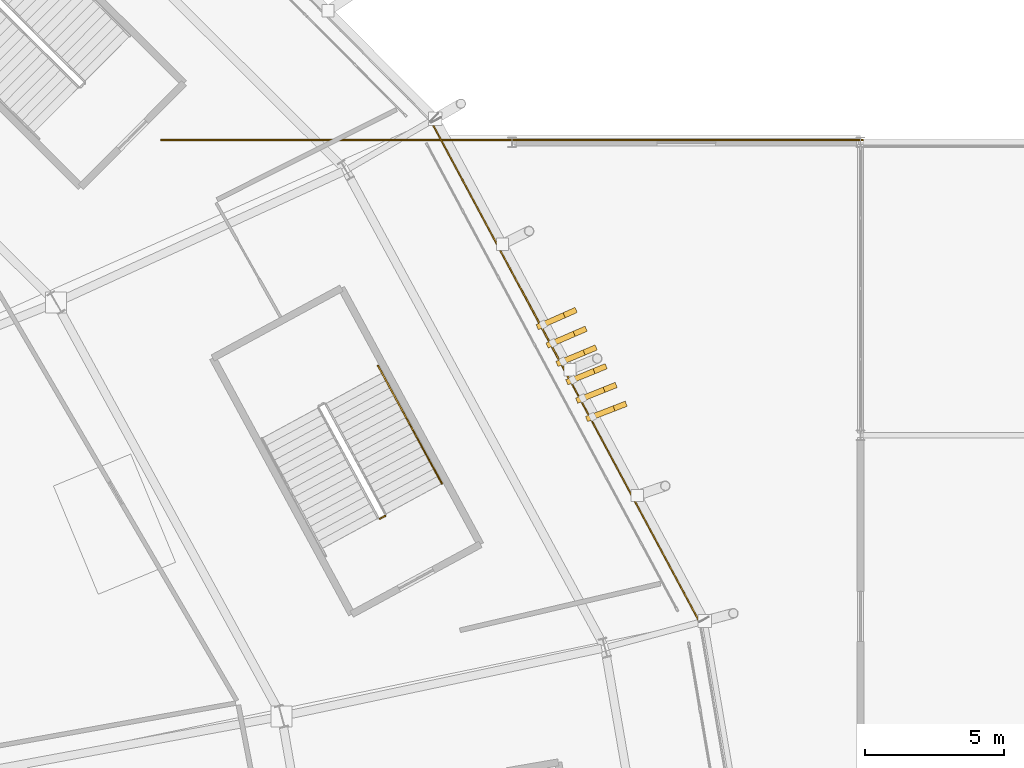
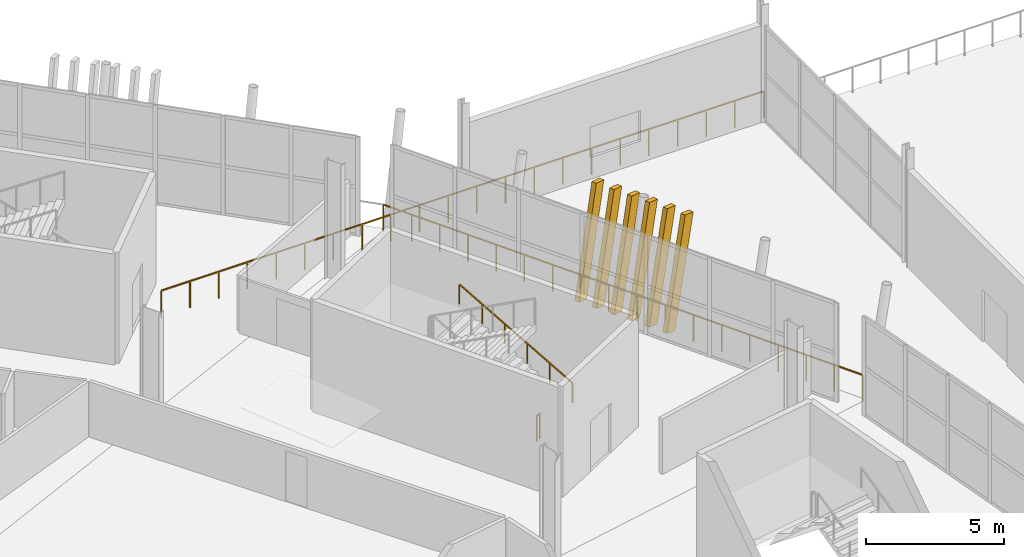
# One storey, part 161 of 168: 6 shading devices, 4 railings.
"""IFC4 building model written with IfcOpenShell, lengths in metres."""

from ifc_helpers import new_model, si_unit, direction, frame, origin, origin_2d, place, context, subcontext, project, spatial, rectangle, extrude, material, material_profile, profile_set, type_object, element, save


model = new_model("IFC4")

# Units and contexts
model_context = context("Model", 3, precision=1e-05, world=origin(), true_north=direction((0.0, 1.0)))
body_context = subcontext(model_context, "Body", "Model", "MODEL_VIEW")
ifc_project = project(units=[si_unit("LENGTHUNIT", "METRE"), si_unit("AREAUNIT", "SQUARE_METRE"), si_unit("VOLUMEUNIT", "CUBIC_METRE"), si_unit("PLANEANGLEUNIT", "RADIAN"), si_unit("MASSUNIT", "GRAM", prefix="KILO")], contexts=[model_context])

# Site, building, storey
site_placement = place(None, origin())
site = spatial("IfcSite", under=ifc_project, at=site_placement, CompositionType="ELEMENT")
building_placement = place(site_placement, origin())
building = spatial("IfcBuilding", under=site, at=building_placement, Name="Zlatoyarsky Gate Stadium", CompositionType="ELEMENT")
storey_placement = place(building_placement, frame((0.0, 0.0, 15.60009765625)))
storey = spatial("IfcBuildingStorey", under=building, at=storey_placement, Name="L03", CompositionType="ELEMENT", Elevation=15.60009765625)

# Railings
ifc_material_1 = material(Name="Powder-coated steel tubular guardrail", Category="steel")
railing_type_1 = type_object("IfcRailingType", Name="CONCOURSE SLAB EDGE GUARDRAIL 1200", PredefinedType="GUARDRAIL", material=ifc_material_1)
railing_1_placement = place(storey_placement, frame((204.2333984375, 99.287841796875, 0.0)))
element("IfcRailing", 1, at=railing_1_placement, inside=storey, type_object=railing_type_1, Name="L03 outer slab edge guardrail 01", PredefinedType="GUARDRAIL", context=body_context, shape_type="SweptSolid", body=[
    extrude(rectangle(XDim=0.048095703125, YDim=0.048095703125, at=origin_2d()), frame((0.0, 0.0, 1.17578125), z_axis=(-0.472758767062, 0.881191890661, 0.0), x_axis=(-0.881191890661, -0.472758767062, 0.0)), (0.0, 0.0, 1.0), 20.396484375),
    extrude(rectangle(XDim=0.0419921875, YDim=0.0419921875, at=origin_2d()), origin(), (0.0, 0.0, 1.0), 1.15185546875),
    extrude(rectangle(XDim=0.0419921875, YDim=0.0419921875, at=origin_2d()), frame((-0.567138671875, 1.05712890625, 0.0)), (0.0, 0.0, 1.0), 1.15185546875),
    extrude(rectangle(XDim=0.0419921875, YDim=0.0419921875, at=origin_2d()), frame((-1.134521484375, 2.114501953125, 0.0)), (0.0, 0.0, 1.0), 1.15185546875),
    extrude(rectangle(XDim=0.0419921875, YDim=0.0419921875, at=origin_2d()), frame((-1.70166015625, 3.171630859375, 0.0)), (0.0, 0.0, 1.0), 1.15185546875),
    extrude(rectangle(XDim=0.0419921875, YDim=0.0419921875, at=origin_2d()), frame((-2.268798828125, 4.22900390625, 0.0)), (0.0, 0.0, 1.0), 1.15185546875),
    extrude(rectangle(XDim=0.0419921875, YDim=0.0419921875, at=origin_2d()), frame((-2.8359375, 5.2861328125, 0.0)), (0.0, 0.0, 1.0), 1.15185546875),
    extrude(rectangle(XDim=0.0419921875, YDim=0.0419921875, at=origin_2d()), frame((-3.4033203125, 6.343505859375, 0.0)), (0.0, 0.0, 1.0), 1.15185546875),
    extrude(rectangle(XDim=0.0419921875, YDim=0.0419921875, at=origin_2d()), frame((-3.970458984375, 7.400634765625, 0.0)), (0.0, 0.0, 1.0), 1.15185546875),
    extrude(rectangle(XDim=0.0419921875, YDim=0.0419921875, at=origin_2d()), frame((-4.53759765625, 8.4580078125, 0.0)), (0.0, 0.0, 1.0), 1.15185546875),
    extrude(rectangle(XDim=0.0419921875, YDim=0.0419921875, at=origin_2d()), frame((-5.10498046875, 9.51513671875, 0.0)), (0.0, 0.0, 1.0), 1.15185546875),
    extrude(rectangle(XDim=0.0419921875, YDim=0.0419921875, at=origin_2d()), frame((-5.672119140625, 10.572509765625, 0.0)), (0.0, 0.0, 1.0), 1.15185546875),
    extrude(rectangle(XDim=0.0419921875, YDim=0.0419921875, at=origin_2d()), frame((-6.2392578125, 11.629638671875, 0.0)), (0.0, 0.0, 1.0), 1.15185546875),
    extrude(rectangle(XDim=0.0419921875, YDim=0.0419921875, at=origin_2d()), frame((-6.806640625, 12.68701171875, 0.0)), (0.0, 0.0, 1.0), 1.15185546875),
    extrude(rectangle(XDim=0.0419921875, YDim=0.0419921875, at=origin_2d()), frame((-7.373779296875, 13.744140625, 0.0)), (0.0, 0.0, 1.0), 1.15185546875),
    extrude(rectangle(XDim=0.0419921875, YDim=0.0419921875, at=origin_2d()), frame((-7.94091796875, 14.801513671875, 0.0)), (0.0, 0.0, 1.0), 1.15185546875),
    extrude(rectangle(XDim=0.0419921875, YDim=0.0419921875, at=origin_2d()), frame((-8.508056640625, 15.858642578125, 0.0)), (0.0, 0.0, 1.0), 1.15185546875),
    extrude(rectangle(XDim=0.0419921875, YDim=0.0419921875, at=origin_2d()), frame((-9.075439453125, 16.916015625, 0.0)), (0.0, 0.0, 1.0), 1.15185546875),
    extrude(rectangle(XDim=0.0419921875, YDim=0.0419921875, at=origin_2d()), frame((-9.642578125, 17.97314453125, 0.0)), (0.0, 0.0, 1.0), 1.15185546875),
])
railing_2_placement = place(storey_placement, frame((210.080078125, 116.580078125, 0.0)))
element("IfcRailing", 2, at=railing_2_placement, inside=storey, type_object=railing_type_1, Name="V5_EAST L03 N slab edge guardrail", PredefinedType="GUARDRAIL", context=body_context, shape_type="SweptSolid", body=[
    extrude(rectangle(XDim=0.048095703125, YDim=0.048095703125, at=origin_2d()), frame((0.0, 0.0, 1.17578125), z_axis=(-1.0, 0.0, 0.0), x_axis=(0.0, -1.0, 0.0)), (0.0, 0.0, 1.0), 25.16015625),
    extrude(rectangle(XDim=0.0419921875, YDim=0.0419921875, at=origin_2d()), origin(), (0.0, 0.0, 1.0), 1.15185546875),
    extrude(rectangle(XDim=0.0419921875, YDim=0.0419921875, at=origin_2d()), frame((-1.197998046875, 0.0, 0.0)), (0.0, 0.0, 1.0), 1.15185546875),
    extrude(rectangle(XDim=0.0419921875, YDim=0.0419921875, at=origin_2d()), frame((-2.396240234375, 0.0, 0.0)), (0.0, 0.0, 1.0), 1.15185546875),
    extrude(rectangle(XDim=0.0419921875, YDim=0.0419921875, at=origin_2d()), frame((-3.59423828125, 0.0, 0.0)), (0.0, 0.0, 1.0), 1.15185546875),
    extrude(rectangle(XDim=0.0419921875, YDim=0.0419921875, at=origin_2d()), frame((-4.79248046875, 0.0, 0.0)), (0.0, 0.0, 1.0), 1.15185546875),
    extrude(rectangle(XDim=0.0419921875, YDim=0.0419921875, at=origin_2d()), frame((-5.990478515625, 0.0, 0.0)), (0.0, 0.0, 1.0), 1.15185546875),
    extrude(rectangle(XDim=0.0419921875, YDim=0.0419921875, at=origin_2d()), frame((-7.188720703125, 0.0, 0.0)), (0.0, 0.0, 1.0), 1.15185546875),
    extrude(rectangle(XDim=0.0419921875, YDim=0.0419921875, at=origin_2d()), frame((-8.38671875, 0.0, 0.0)), (0.0, 0.0, 1.0), 1.15185546875),
    extrude(rectangle(XDim=0.0419921875, YDim=0.0419921875, at=origin_2d()), frame((-9.584716796875, 0.0, 0.0)), (0.0, 0.0, 1.0), 1.15185546875),
    extrude(rectangle(XDim=0.0419921875, YDim=0.0419921875, at=origin_2d()), frame((-10.782958984375, 0.0, 0.0)), (0.0, 0.0, 1.0), 1.15185546875),
    extrude(rectangle(XDim=0.0419921875, YDim=0.0419921875, at=origin_2d()), frame((-11.98095703125, 0.0, 0.0)), (0.0, 0.0, 1.0), 1.15185546875),
    extrude(rectangle(XDim=0.0419921875, YDim=0.0419921875, at=origin_2d()), frame((-13.17919921875, 0.0, 0.0)), (0.0, 0.0, 1.0), 1.15185546875),
    extrude(rectangle(XDim=0.0419921875, YDim=0.0419921875, at=origin_2d()), frame((-14.377197265625, 0.0, 0.0)), (0.0, 0.0, 1.0), 1.15185546875),
    extrude(rectangle(XDim=0.0419921875, YDim=0.0419921875, at=origin_2d()), frame((-15.575439453125, 0.0, 0.0)), (0.0, 0.0, 1.0), 1.15185546875),
    extrude(rectangle(XDim=0.0419921875, YDim=0.0419921875, at=origin_2d()), frame((-16.7734375, 0.0, 0.0)), (0.0, 0.0, 1.0), 1.15185546875),
    extrude(rectangle(XDim=0.0419921875, YDim=0.0419921875, at=origin_2d()), frame((-17.971435546875, 0.0, 0.0)), (0.0, 0.0, 1.0), 1.15185546875),
    extrude(rectangle(XDim=0.0419921875, YDim=0.0419921875, at=origin_2d()), frame((-19.169677734375, 0.0, 0.0)), (0.0, 0.0, 1.0), 1.15185546875),
    extrude(rectangle(XDim=0.0419921875, YDim=0.0419921875, at=origin_2d()), frame((-20.36767578125, 0.0, 0.0)), (0.0, 0.0, 1.0), 1.15185546875),
    extrude(rectangle(XDim=0.0419921875, YDim=0.0419921875, at=origin_2d()), frame((-21.56591796875, 0.0, 0.0)), (0.0, 0.0, 1.0), 1.15185546875),
    extrude(rectangle(XDim=0.0419921875, YDim=0.0419921875, at=origin_2d()), frame((-22.763916015625, 0.0, 0.0)), (0.0, 0.0, 1.0), 1.15185546875),
    extrude(rectangle(XDim=0.0419921875, YDim=0.0419921875, at=origin_2d()), frame((-23.962158203125, 0.0, 0.0)), (0.0, 0.0, 1.0), 1.15185546875),
    extrude(rectangle(XDim=0.0419921875, YDim=0.0419921875, at=origin_2d()), frame((-25.16015625, 0.0, 0.0)), (0.0, 0.0, 1.0), 1.15185546875),
])
ifc_material_2 = material(Name="Powder-coated steel stair guardrail", Category="steel")
railing_type_2 = type_object("IfcRailingType", Name="PAINTED STEEL STAIR WELL GUARDRAIL 1150", PredefinedType="GUARDRAIL", material=ifc_material_2)
railing_3_placement = place(storey_placement, frame((192.94482421875, 103.098876953125, 0.0)))
element("IfcRailing", 3, at=railing_3_placement, inside=storey, type_object=railing_type_2, Name="ST-13 L03 stair guard 4", PredefinedType="GUARDRAIL", context=body_context, shape_type="SweptSolid", body=[
    extrude(rectangle(XDim=0.048095703125, YDim=0.048095703125, at=origin_2d()), frame((0.0, 0.0, 1.1259765625), z_axis=(-0.878780312785, -0.477226530971, 0.0), x_axis=(0.477226530971, -0.878780312785, 0.0)), (0.0, 0.0, 1.0), 0.199951171875),
    extrude(rectangle(XDim=0.0419921875, YDim=0.0419921875, at=origin_2d()), origin(), (0.0, 0.0, 1.0), 1.101806640625),
    extrude(rectangle(XDim=0.0419921875, YDim=0.0419921875, at=origin_2d()), frame((-0.17578125, -0.095458984375, 0.0)), (0.0, 0.0, 1.0), 1.101806640625),
])

# Shading devices
ifc_material_3 = material(Name="Precast concrete C40/50 stone-toned architectural rib", Category="masonry")
ifc_material_profile = material_profile(ifc_material_3, rectangle(XDim=0.199951171875, YDim=0.47998046875, at=origin_2d()), Name="RIB 200X480")
ifc_profile_set = profile_set([ifc_material_profile], Name="Precast concrete C40/50 stone-toned architectural rib")
shading_device_type = type_object("IfcShadingDeviceType", Name="PRECAST FLUTED GATE LOUVRE BLADE 200X480", PredefinedType="SHUTTER", material=ifc_profile_set)
for number, where, z_axis, x_axis, name in (
    (4, (200.389892578125, 106.659912109375, -0.010009765625), (0.206608951703, 0.079854053292, 0.97515951067), (-0.360508745614, 0.932755833182, 0.0), "Leaning bowl louvre fin L03-01-1"),
    (5, (200.035400390625, 107.32080078125, -0.010009765625), (0.205793043267, 0.081847183544, 0.975166786703), (-0.369560369764, 0.929206722479, 0.0), "Leaning bowl louvre fin L03-01-2"),
    (6, (199.680908203125, 107.98193359375, -0.010009765625), (0.204977926852, 0.083738490058, 0.975177888791), (-0.378183571957, 0.925730622753, 0.0), "Leaning bowl louvre fin L03-01-3"),
    (7, (199.326416015625, 108.642822265625, -0.010009765625), (0.204160138444, 0.085730908986, 0.975176316937), (-0.387169720357, 0.922008463973, 0.0), "Leaning bowl louvre fin L03-01-4"),
    (8, (198.971923828125, 109.3037109375, -0.010009765625), (0.203341409477, 0.087722914591, 0.975170221781), (-0.396117808554, 0.918199696007, 0.0), "Leaning bowl louvre fin L03-01-5"),
    (9, (198.617431640625, 109.964599609375, -0.010009765625), (0.202521751379, 0.089714479168, 0.975159603576), (-0.405025327301, 0.914305465501, 0.0), "Leaning bowl louvre fin L03-01-6"),
):
    element("IfcShadingDevice", number, at=place(storey_placement, frame(where, z_axis=z_axis, x_axis=x_axis)), inside=storey, type_object=shading_device_type, Name=name, PredefinedType="SHUTTER", context=body_context, shape_type="SweptSolid", body=[
        extrude(rectangle(XDim=0.199951171875, YDim=0.47998046875, at=origin_2d()), origin(), (0.0, 0.0, 1.0), 4.778564453125),
    ])

# Railing
ifc_material_4 = material(Name="Brushed stainless steel 316 handrail", Category="steel")
railing_type_3 = type_object("IfcRailingType", Name="STAINLESS STEEL TUBULAR HANDRAIL 900", PredefinedType="HANDRAIL", material=ifc_material_4)
railing_4_placement = place(storey_placement, frame((194.986572265625, 104.263427734375, 0.16650390625)))
element("IfcRailing", 10, at=railing_4_placement, inside=storey, type_object=railing_type_3, Name="ST-13 L03 stair handrail 1", PredefinedType="HANDRAIL", context=body_context, shape_type="SweptSolid", body=[
    extrude(rectangle(XDim=0.048095703125, YDim=0.048095703125, at=origin_2d()), frame((0.0, 0.0, 0.8759765625), z_axis=(-0.419331144084, 0.772873453596, 0.476264649462), x_axis=(-0.878962478599, -0.4768909322, 0.0)), (0.0, 0.0, 1.0), 5.458740234375),
    extrude(rectangle(XDim=0.0419921875, YDim=0.0419921875, at=origin_2d()), origin(), (0.0, 0.0, 1.0), 0.851806640625),
    extrude(rectangle(XDim=0.0419921875, YDim=0.0419921875, at=origin_2d()), frame((-0.457763671875, 0.84375, 0.52001953125)), (0.0, 0.0, 1.0), 0.851806640625),
    extrude(rectangle(XDim=0.0419921875, YDim=0.0419921875, at=origin_2d()), frame((-0.91552734375, 1.6875, 1.0400390625)), (0.0, 0.0, 1.0), 0.851806640625),
    extrude(rectangle(XDim=0.0419921875, YDim=0.0419921875, at=origin_2d()), frame((-1.37353515625, 2.531494140625, 1.559814453125)), (0.0, 0.0, 1.0), 0.851806640625),
    extrude(rectangle(XDim=0.0419921875, YDim=0.0419921875, at=origin_2d()), frame((-1.831298828125, 3.375244140625, 2.079833984375)), (0.0, 0.0, 1.0), 0.851806640625),
    extrude(rectangle(XDim=0.0419921875, YDim=0.0419921875, at=origin_2d()), frame((-2.2890625, 4.218994140625, 2.599853515625)), (0.0, 0.0, 1.0), 0.851806640625),
])

save(model, "model.ifc")
